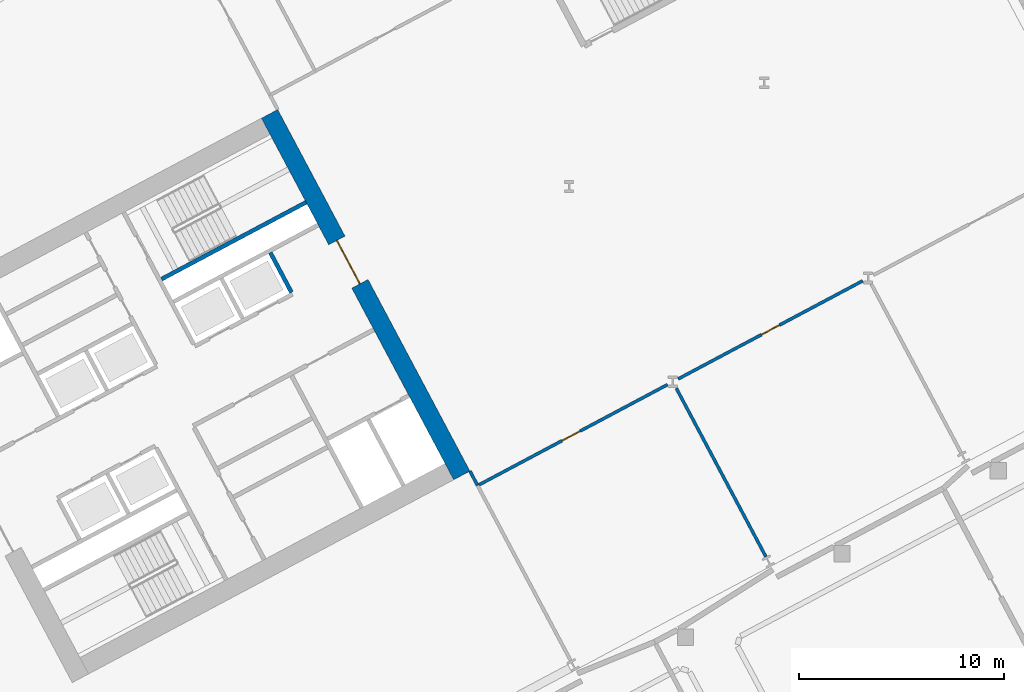
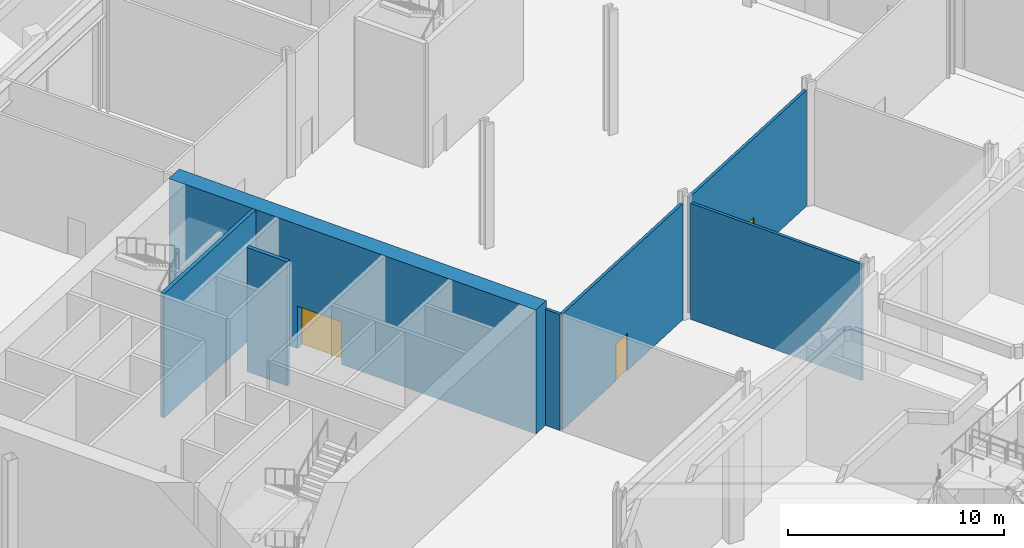
# One storey, part 21 of 57: 7 walls, 3 doors, 3 openings.
"""IFC4 building model written with IfcOpenShell, lengths in metres."""

from ifc_helpers import new_model, si_unit, direction, frame, frame_2d, origin, place, context, subcontext, project, spatial, rectangle, extrude, material, layer, layer_set, type_object, element, fill, save


model = new_model("IFC4")

# Units and contexts
model_context = context("Model", 3, precision=1e-05, world=origin(), true_north=direction((0.0, 1.0)))
body_context = subcontext(model_context, "Body", "Model", "MODEL_VIEW")
ifc_project = project(units=[si_unit("LENGTHUNIT", "METRE"), si_unit("AREAUNIT", "SQUARE_METRE"), si_unit("VOLUMEUNIT", "CUBIC_METRE"), si_unit("PLANEANGLEUNIT", "RADIAN"), si_unit("MASSUNIT", "GRAM", prefix="KILO")], contexts=[model_context])

# Site, building, storey
site_placement = place(None, origin())
site = spatial("IfcSite", under=ifc_project, at=site_placement, CompositionType="ELEMENT")
building_placement = place(site_placement, origin())
building = spatial("IfcBuilding", under=site, at=building_placement, Name="Cormorant Relay Tower", CompositionType="ELEMENT")
storey_placement = place(building_placement, origin())
storey = spatial("IfcBuildingStorey", under=building, at=storey_placement, Name="L00", CompositionType="ELEMENT", Elevation=0.0)

# Walls
ifc_material_1 = material(Name="Concrete 50 MPa", Category="concrete")
ifc_layer_1 = layer(ifc_material_1, 0.199951171875)
ifc_layer_set_1 = layer_set([ifc_layer_1], Name="Core shaft wall 200")
wall_type_1 = type_object("IfcWallType", Name="Core shaft wall 200", PredefinedType="SHEAR", material=ifc_layer_set_1)
wall_1_placement = place(storey_placement, frame((29.5283203125, 17.739013671875, 0.0), z_axis=(0.0, 0.0, 1.0), x_axis=(-0.469401318492, 0.882984938828, 0.0)))
element("IfcWall", 1, at=wall_1_placement, inside=storey, type_object=wall_type_1, Name="L00 core B shaft wall", PredefinedType="SHEAR", context=body_context, shape_type="SweptSolid", body=[
    extrude(rectangle(XDim=2.199951171875, YDim=0.199951171875, at=frame_2d((1.10009765625, 0.0))), origin(), (0.0, 0.0, 1.0), 7.0),
])
wall_2_placement = place(storey_placement, frame((23.18212890625, 18.385498046875, 0.0), z_axis=(0.0, 0.0, 1.0), x_axis=(0.88295287151, 0.469461634952, 0.0)))
element("IfcWall", 2, at=wall_2_placement, inside=storey, type_object=wall_type_1, Name="L00 core B shaft wall", PredefinedType="SHEAR", context=body_context, shape_type="SweptSolid", body=[
    extrude(rectangle(XDim=7.999755859375, YDim=0.199951171875, at=frame_2d((4.0, 0.0))), origin(), (0.0, 0.0, 1.0), 7.0),
])

# Wall, opening, door
ifc_material_2 = material(Name="Concrete 70 MPa", Category="concrete")
ifc_layer_2 = layer(ifc_material_2, 0.89990234375)
ifc_layer_set_2 = layer_set([ifc_layer_2], Name="Core wall 900")
wall_type_2 = type_object("IfcWallType", Name="Core wall 900", PredefinedType="SHEAR", material=ifc_layer_set_2)
wall_3_placement = place(storey_placement, frame((37.849365234375, 8.799072265625, 0.0), z_axis=(0.0, 0.0, 1.0), x_axis=(-0.469465789982, 0.882950662289, 0.0)))
wall_3 = element("IfcWall", 3, at=wall_3_placement, inside=storey, type_object=wall_type_2, Name="L00 core B wall", PredefinedType="SHEAR", context=body_context, shape_type="SweptSolid", body=[
    extrude(rectangle(XDim=20.000244140625, YDim=0.89990234375, at=frame_2d((10.0, 0.0))), origin(), (0.0, 0.0, 1.0), 7.0),
])
opening_1_placement = place(wall_3_placement, frame((10.60009765625, 0.0, 0.0)))
opening_1 = element("IfcOpeningElement", 4, at=opening_1_placement, cuts=wall_3, Name="Opening CDA-008", PredefinedType="OPENING", context=body_context, shape_type="SweptSolid", body=[
    extrude(rectangle(XDim=2.39990234375, YDim=2.39990234375, at=frame_2d((1.199951171875, 1.199951171875))), frame((0.0, 0.4599609375, 0.0), z_axis=(0.0, -1.0, 0.0), x_axis=(1.0, 0.0, 0.0)), (0.0, 0.0, 1.0), 0.919921875),
])
ifc_material_3 = material(Name="Steel fire door", Category="steel")
door_type_1 = type_object("IfcDoorType", Name="Core lobby door 2400x2400", OperationType="DOUBLE_DOOR_SINGLE_SWING", PredefinedType="DOOR", material=ifc_material_3)
door_1_placement = place(opening_1_placement, origin())
door_1 = element("IfcDoor", 5, at=door_1_placement, inside=storey, type_object=door_type_1, Name="Core lobby door 2400x2400", OperationType="DOUBLE_DOOR_SINGLE_SWING", OverallHeight=2.39990234375, OverallWidth=2.39990234375, PredefinedType="DOOR", context=body_context, shape_type="SweptSolid", body=[
    extrude(rectangle(XDim=2.39990234375, YDim=2.39990234375, at=frame_2d((1.199951171875, 1.199951171875))), frame((0.0, 0.02490234375, 0.0), z_axis=(0.0, -1.0, 0.0), x_axis=(1.0, 0.0, 0.0)), (0.0, 0.0, 1.0), 0.050048828125),
])
fill(opening_1, door_1)

ifc_material_4 = material(Name="Gypsum board on steel stud", Category="steel")
ifc_layer_3 = layer(ifc_material_4, 0.14990234375)
ifc_layer_set_3 = layer_set([ifc_layer_3], Name="Partition 150")
wall_type_3 = type_object("IfcWallType", Name="Partition 150", PredefinedType="PARTITIONING", material=ifc_layer_set_3)
wall_4_placement = place(storey_placement, frame((38.622314453125, 8.30419921875, 0.0), z_axis=(0.0, 0.0, 1.0), x_axis=(0.882956451437, 0.469454901845, 0.0)))
wall_4 = element("IfcWall", 6, at=wall_4_placement, inside=storey, type_object=wall_type_3, Name="Partition", PredefinedType="PARTITIONING", context=body_context, shape_type="SweptSolid", body=[
    extrude(rectangle(XDim=10.50244140625, YDim=0.14990234375, at=frame_2d((5.251220703125, 0.0))), origin(), (0.0, 0.0, 1.0), 6.550048828125),
])
opening_2_placement = place(wall_4_placement, frame((4.673095703125, 0.0, 0.0)))
opening_2 = element("IfcOpeningElement", 7, at=opening_2_placement, cuts=wall_4, Name="Opening PD1-081", PredefinedType="OPENING", context=body_context, shape_type="SweptSolid", body=[
    extrude(rectangle(XDim=1.0, YDim=2.10009765625, at=frame_2d((0.5, 1.050048828125))), frame((0.0, 0.0849609375, 0.0), z_axis=(0.0, -1.0, 0.0), x_axis=(1.0, 0.0, 0.0)), (0.0, 0.0, 1.0), 0.169921875),
])
ifc_material_5 = material(Name="Steel door leaf", Category="steel")
door_type_2 = type_object("IfcDoorType", Name="Door single 1000", OperationType="SINGLE_SWING_LEFT", PredefinedType="DOOR", material=ifc_material_5)
door_2_placement = place(opening_2_placement, frame((1.0, 0.0, 0.0), z_axis=(0.0, 0.0, 1.0), x_axis=(-1.0, 0.0, 0.0)))
door_2 = element("IfcDoor", 8, at=door_2_placement, inside=storey, type_object=door_type_2, Name="Door", OperationType="SINGLE_SWING_RIGHT", OverallHeight=2.10009765625, OverallWidth=1.0, PredefinedType="DOOR", context=body_context, shape_type="SweptSolid", body=[
    extrude(rectangle(XDim=1.0, YDim=2.10009765625, at=frame_2d((0.5, 1.050048828125))), frame((0.0, 0.02490234375, 0.0), z_axis=(0.0, -1.0, 0.0), x_axis=(1.0, 0.0, 0.0)), (0.0, 0.0, 1.0), 0.050048828125),
])
fill(opening_2, door_2)

wall_5_placement = place(storey_placement, frame((48.420654296875, 13.513916015625, 0.0), z_axis=(0.0, 0.0, 1.0), x_axis=(0.882940965658, 0.469484026526, 0.0)))
wall_5 = element("IfcWall", 9, at=wall_5_placement, inside=storey, type_object=wall_type_3, Name="Partition", PredefinedType="PARTITIONING", context=body_context, shape_type="SweptSolid", body=[
    extrude(rectangle(XDim=10.205322265625, YDim=0.14990234375, at=frame_2d((5.1025390625, 0.0))), origin(), (0.0, 0.0, 1.0), 6.550048828125),
])
opening_3_placement = place(wall_5_placement, frame((4.6025390625, 0.0, 0.0)))
opening_3 = element("IfcOpeningElement", 10, at=opening_3_placement, cuts=wall_5, Name="Opening PD1-082", PredefinedType="OPENING", context=body_context, shape_type="SweptSolid", body=[
    extrude(rectangle(XDim=1.0, YDim=2.10009765625, at=frame_2d((0.5, 1.050048828125))), frame((0.0, 0.0849609375, 0.0), z_axis=(0.0, -1.0, 0.0), x_axis=(1.0, 0.0, 0.0)), (0.0, 0.0, 1.0), 0.169921875),
])
door_3_placement = place(opening_3_placement, frame((1.0, 0.0, 0.0), z_axis=(0.0, 0.0, 1.0), x_axis=(-1.0, 0.0, 0.0)))
door_3 = element("IfcDoor", 11, at=door_3_placement, inside=storey, type_object=door_type_2, Name="Door", OperationType="SINGLE_SWING_RIGHT", OverallHeight=2.10009765625, OverallWidth=1.0, PredefinedType="DOOR", context=body_context, shape_type="SweptSolid", body=[
    extrude(rectangle(XDim=1.0, YDim=2.10009765625, at=frame_2d((0.5, 1.050048828125))), frame((0.0, 0.02490234375, 0.0), z_axis=(0.0, -1.0, 0.0), x_axis=(1.0, 0.0, 0.0)), (0.0, 0.0, 1.0), 0.050048828125),
])
fill(opening_3, door_3)

# Walls
wall_6_placement = place(storey_placement, frame((38.24658203125, 9.010498046875, 0.0), z_axis=(0.0, 0.0, 1.0), x_axis=(0.469454908155, -0.882956448082, 0.0)))
element("IfcWall", 12, at=wall_6_placement, inside=storey, type_object=wall_type_3, Name="Partition", PredefinedType="PARTITIONING", context=body_context, shape_type="SweptSolid", body=[
    extrude(rectangle(XDim=0.794189453125, YDim=0.14990234375, at=frame_2d((0.39697265625, 0.0))), origin(), (0.0, 0.0, 1.0), 6.550048828125),
])
wall_7_placement = place(storey_placement, frame((52.704345703125, 4.824462890625, 0.0), z_axis=(0.0, 0.0, 1.0), x_axis=(-0.469494001944, 0.882935661381, 0.0)))
element("IfcWall", 13, at=wall_7_placement, inside=storey, type_object=wall_type_3, Name="Partition", PredefinedType="PARTITIONING", context=body_context, shape_type="SweptSolid", body=[
    extrude(rectangle(XDim=9.3251953125, YDim=0.14990234375, at=frame_2d((4.66259765625, 0.0))), origin(), (0.0, 0.0, 1.0), 6.550048828125),
])

save(model, "model.ifc")
